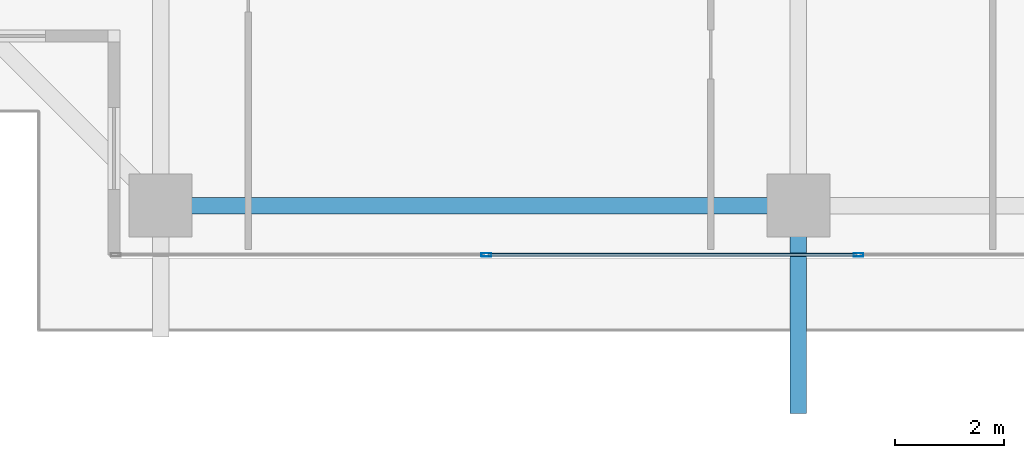
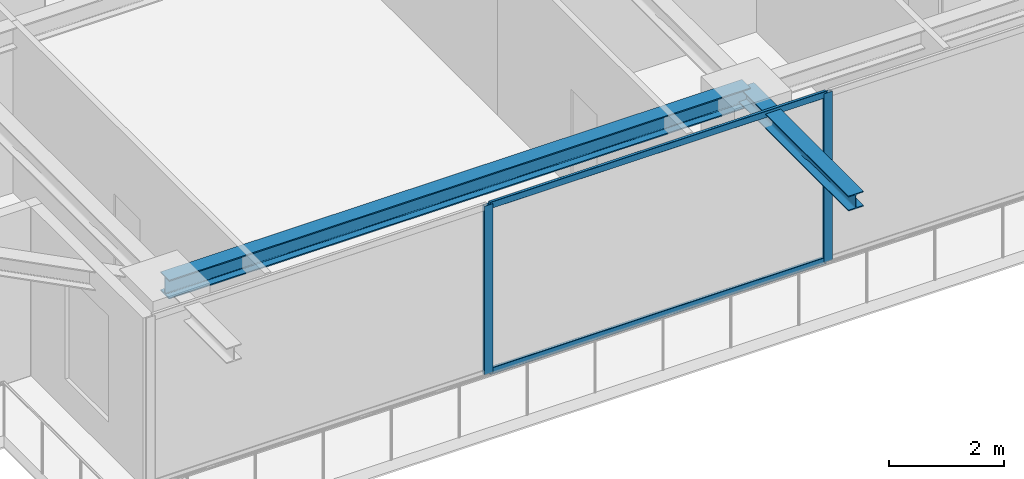
# One storey, part 5 of 38: 4 members, 2 beams, 1 element without a shape of its own.
"""IFC4 building model written with IfcOpenShell, lengths in metres."""

from ifc_helpers import new_model, si_unit, direction, frame, origin, origin_2d, place, context, subcontext, project, spatial, hollow_rectangle, i_section, extrude, source, transform, mapped, material, layer, layer_set, material_profile, profile_set, type_object, element, aggregate, save


model = new_model("IFC4")

# Units and contexts
model_context = context("Model", 3, precision=1e-05, world=origin(), true_north=direction((0.0, 1.0)))
body_context = subcontext(model_context, "Body", "Model", "MODEL_VIEW")
ifc_project = project(units=[si_unit("LENGTHUNIT", "METRE"), si_unit("AREAUNIT", "SQUARE_METRE"), si_unit("VOLUMEUNIT", "CUBIC_METRE"), si_unit("PLANEANGLEUNIT", "RADIAN"), si_unit("MASSUNIT", "GRAM", prefix="KILO")], contexts=[model_context])

# Site, building, storey
site_placement = place(None, origin())
site = spatial("IfcSite", under=ifc_project, at=site_placement, CompositionType="ELEMENT")
building_placement = place(site_placement, origin())
building = spatial("IfcBuilding", under=site, at=building_placement, Name="Serunith Strait Residences", CompositionType="ELEMENT")
storey_placement = place(building_placement, frame((0.0, 0.0, 268.199951171875)))
storey = spatial("IfcBuildingStorey", under=building, at=storey_placement, Name="L67", CompositionType="ELEMENT", Elevation=268.199951171875)

# Beams
ifc_material_1 = material(Name="Steel S355J2", Category="steel")
ifc_material_profile_1 = material_profile(ifc_material_1, i_section(OverallWidth=0.300048828125, OverallDepth=0.39990234375, WebThickness=0.013427734375, FlangeThickness=0.02392578125, FilletRadius=0.027099609375, at=origin_2d()), Name="HEB 400")
ifc_profile_set_1 = profile_set([ifc_material_profile_1], Name="Steel S355J2")
beam_type_1 = type_object("IfcBeamType", Name="BM-HEB400", PredefinedType="BEAM", material=ifc_profile_set_1)
shared_shape_1 = source(origin(), body_context, "Body", "SweptSolid", [
    extrude(i_section(OverallWidth=0.300048828125, OverallDepth=0.39990234375, WebThickness=0.013427734375, FlangeThickness=0.02392578125, FilletRadius=0.027099609375, at=origin_2d()), origin(), (0.0, 0.0, 1.0), 11.64990234375),
])
beam_1_placement = place(storey_placement, frame((16.25, 2.10009765625, 3.386962890625), z_axis=(1.0, 0.0, 0.0), x_axis=(0.0, 1.0, 0.0)))
element("IfcBeam", 1, at=beam_1_placement, inside=storey, type_object=beam_type_1, Name="L67 Perimeter Ring Beam 01", PredefinedType="BEAM", context=body_context, shape_type="MappedRepresentation", body=[
    mapped(shared_shape_1, transform((0.0, 0.0, 0.0), scale=1.0)),
])
ifc_material_profile_2 = material_profile(ifc_material_1, i_section(OverallWidth=0.300048828125, OverallDepth=0.320068359375, WebThickness=0.011474609375, FlangeThickness=0.0205078125, FilletRadius=0.027099609375, at=origin_2d()), Name="HEB 320")
ifc_profile_set_2 = profile_set([ifc_material_profile_2], Name="Steel S355J2")
beam_type_2 = type_object("IfcBeamType", Name="BM-HEB320", PredefinedType="BEAM", material=ifc_profile_set_2)
shared_shape_2 = source(origin(), body_context, "Body", "SweptSolid", [
    extrude(i_section(OverallWidth=0.300048828125, OverallDepth=0.320068359375, WebThickness=0.011474609375, FlangeThickness=0.0205078125, FilletRadius=0.027099609375, at=origin_2d()), origin(), (0.0, 0.0, 1.0), 3.800048828125),
])
beam_2_placement = place(storey_placement, frame((27.89990234375, 2.10009765625, 3.39697265625), z_axis=(0.0, -1.0, 0.0), x_axis=(1.0, 0.0, 0.0)))
element("IfcBeam", 2, at=beam_2_placement, inside=storey, type_object=beam_type_2, Name="L68 Cantilevered Balcony Rib TC-S2", PredefinedType="BEAM", context=body_context, shape_type="MappedRepresentation", body=[
    mapped(shared_shape_2, transform((0.0, 0.0, 0.0), scale=1.0)),
])

# Curtain wall, members
ifc_material_2 = material(Name="Pale-Champagne Anodised Aluminium", Category="aluminium")
ifc_layer = layer(ifc_material_2, 0.199951171875, Name="Pale-Champagne Anodised Aluminium")
ifc_layer_set = layer_set([ifc_layer], Name="Pale-Champagne Anodised Aluminium")
curtain_wall_type = type_object("IfcCurtainWallType", Name="CW-SYS4", PredefinedType="NOTDEFINED", material=ifc_layer_set)
curtain_wall_placement = place(storey_placement, origin())
curtain_wall = element("IfcCurtainWall", 3, at=curtain_wall_placement, inside=storey, type_object=curtain_wall_type, Name="L67 S Unitised Fritted Curtain Wall", PredefinedType="NOTDEFINED")
ifc_material_profile_3 = material_profile(ifc_material_2, hollow_rectangle(XDim=0.06494140625, YDim=0.179931640625, WallThickness=0.00341796875, InnerFilletRadius=0.00537109375, OuterFilletRadius=0.0087890625, at=origin_2d()), Name="ALU 180x65x3.5")
ifc_profile_set_3 = profile_set([ifc_material_profile_3], Name="Pale-Champagne Anodised Aluminium")
member_type_1 = type_object("IfcMemberType", Name="CW-SYS4-MULL", PredefinedType="MULLION", material=ifc_profile_set_3)
shared_shape_3 = source(origin(), body_context, "Body", "SweptSolid", [
    extrude(hollow_rectangle(XDim=0.06494140625, YDim=0.179931640625, WallThickness=0.00341796875, InnerFilletRadius=0.00537109375, OuterFilletRadius=0.0087890625, at=origin_2d()), origin(), (0.0, 0.0, 1.0), 3.574951171875),
])
member_1_placement = place(storey_placement, frame((22.199951171875, 1.199951171875, 0.0), z_axis=(0.0, 0.0, 1.0), x_axis=(0.0, 1.0, 0.0)))
member_1 = element("IfcMember", 4, at=member_1_placement, type_object=member_type_1, Name="CW-4 mullion 2", PredefinedType="MULLION", context=body_context, shape_type="MappedRepresentation", body=[
    mapped(shared_shape_3, transform((0.0, 0.0, 0.0), scale=1.0)),
])
member_2_placement = place(storey_placement, frame((29.0, 1.199951171875, 0.0), z_axis=(0.0, 0.0, 1.0), x_axis=(0.0, 1.0, 0.0)))
member_2 = element("IfcMember", 5, at=member_2_placement, type_object=member_type_1, Name="CW-4 mullion 3", PredefinedType="MULLION", context=body_context, shape_type="MappedRepresentation", body=[
    mapped(shared_shape_3, transform((0.0, 0.0, 0.0), scale=1.0)),
])
ifc_material_profile_4 = material_profile(ifc_material_2, hollow_rectangle(XDim=0.06005859375, YDim=0.139892578125, WallThickness=0.00341796875, InnerFilletRadius=0.00537109375, OuterFilletRadius=0.0087890625, at=origin_2d()), Name="ALU 140x60x3.5")
ifc_profile_set_4 = profile_set([ifc_material_profile_4], Name="Pale-Champagne Anodised Aluminium")
member_type_2 = type_object("IfcMemberType", Name="CW-SYS4-TRAN", PredefinedType="USERDEFINED", material=ifc_profile_set_4)
shared_shape_4 = source(origin(), body_context, "Body", "SweptSolid", [
    extrude(hollow_rectangle(XDim=0.06005859375, YDim=0.139892578125, WallThickness=0.00341796875, InnerFilletRadius=0.00537109375, OuterFilletRadius=0.0087890625, at=origin_2d()), origin(), (0.0, 0.0, 1.0), 6.735107421875),
])
member_3_placement = place(storey_placement, frame((22.232421875, 1.199951171875, 0.030029296875), z_axis=(1.0, 0.0, 0.0), x_axis=(0.0, 1.0, 0.0)))
member_3 = element("IfcMember", 6, at=member_3_placement, type_object=member_type_2, Name="CW-4 transom 2.1", ObjectType="TRANSOM", PredefinedType="USERDEFINED", context=body_context, shape_type="MappedRepresentation", body=[
    mapped(shared_shape_4, transform((0.0, 0.0, 0.0), scale=1.0)),
])
member_4_placement = place(storey_placement, frame((22.232421875, 1.199951171875, 3.545166015625), z_axis=(1.0, 0.0, 0.0), x_axis=(0.0, 1.0, 0.0)))
member_4 = element("IfcMember", 7, at=member_4_placement, type_object=member_type_2, Name="CW-4 transom 2.2", ObjectType="TRANSOM", PredefinedType="USERDEFINED", context=body_context, shape_type="MappedRepresentation", body=[
    mapped(shared_shape_4, transform((0.0, 0.0, 0.0), scale=1.0)),
])
aggregate(curtain_wall, [member_1, member_2, member_3, member_4])

save(model, "model.ifc")
